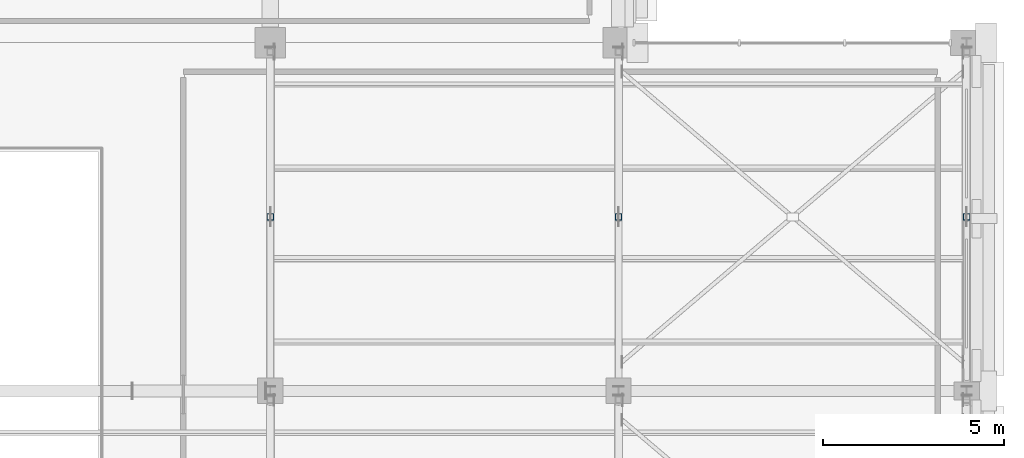
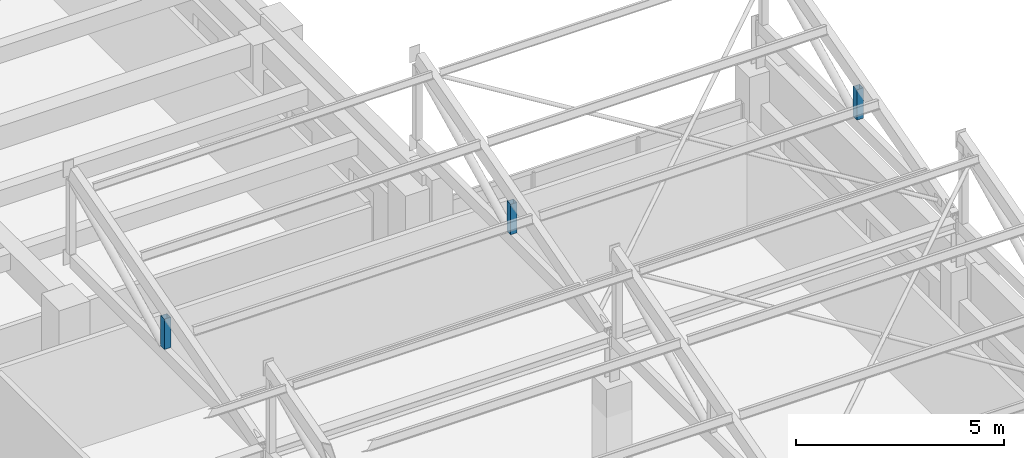
# One storey, part 34 of 58: 3 members.
"""IFC4 building model written with IfcOpenShell, lengths in metres."""

from ifc_helpers import new_model, si_unit, direction, frame, origin, origin_2d, place, context, subcontext, project, spatial, hollow_rectangle, extrude, material, material_profile, profile_set, type_object, element, save


model = new_model("IFC4")

# Units and contexts
model_context = context("Model", 3, precision=1e-05, world=origin(), true_north=direction((0.0, 1.0)))
body_context = subcontext(model_context, "Body", "Model", "MODEL_VIEW")
ifc_project = project(units=[si_unit("LENGTHUNIT", "METRE"), si_unit("AREAUNIT", "SQUARE_METRE"), si_unit("VOLUMEUNIT", "CUBIC_METRE"), si_unit("PLANEANGLEUNIT", "RADIAN"), si_unit("MASSUNIT", "GRAM", prefix="KILO")], contexts=[model_context])

# Site, building, storey
site_placement = place(None, origin())
site = spatial("IfcSite", under=ifc_project, at=site_placement, CompositionType="ELEMENT")
building_placement = place(site_placement, origin())
building = spatial("IfcBuilding", under=site, at=building_placement, Name="Bempovik Park Faculty of Sciences", CompositionType="ELEMENT")
storey_placement = place(building_placement, frame((0.0, 0.0, 18.300048828125)))
storey = spatial("IfcBuildingStorey", under=building, at=storey_placement, Name="L04", CompositionType="ELEMENT", Elevation=18.300048828125)

# Members
ifc_material = material(Name="Steel S355", Category="steel")
ifc_material_profile = material_profile(ifc_material, hollow_rectangle(XDim=0.179931640625, YDim=0.179931640625, WallThickness=0.008056640625, at=origin_2d()), Name="SHS 180x180x8")
ifc_profile_set = profile_set([ifc_material_profile], Name="Steel S355")
member_type = type_object("IfcMemberType", Name="M-40 SHS 180x180x8", PredefinedType="POST", material=ifc_profile_set)
for number, where, z_axis, x_axis, name in (
    (1, (108.0, 82.199951171875, 5.36083984375), (0.0, 0.0, 1.0), (1.0, 0.0, 0.0), "Sawtooth Mid Post V2-B2 (108.0)"),
    (2, (117.60009765625, 82.199951171875, 5.36083984375), (0.0, 0.0, 1.0), (1.0, 0.0, 0.0), "Sawtooth Mid Post V2-B2 (117.6)"),
    (3, (127.199951171875, 82.199951171875, 5.36083984375), (0.0, 0.0, 1.0), (1.0, 0.0, 0.0), "Sawtooth Mid Post V2-B2 (127.2)"),
):
    element("IfcMember", number, at=place(storey_placement, frame(where, z_axis=z_axis, x_axis=x_axis)), inside=storey, type_object=member_type, Name=name, PredefinedType="POST", context=body_context, shape_type="SweptSolid", body=[
        extrude(hollow_rectangle(XDim=0.179931640625, YDim=0.179931640625, WallThickness=0.008056640625, at=origin_2d()), origin(), (0.0, 0.0, 1.0), 0.8876953125),
    ])

save(model, "model.ifc")
